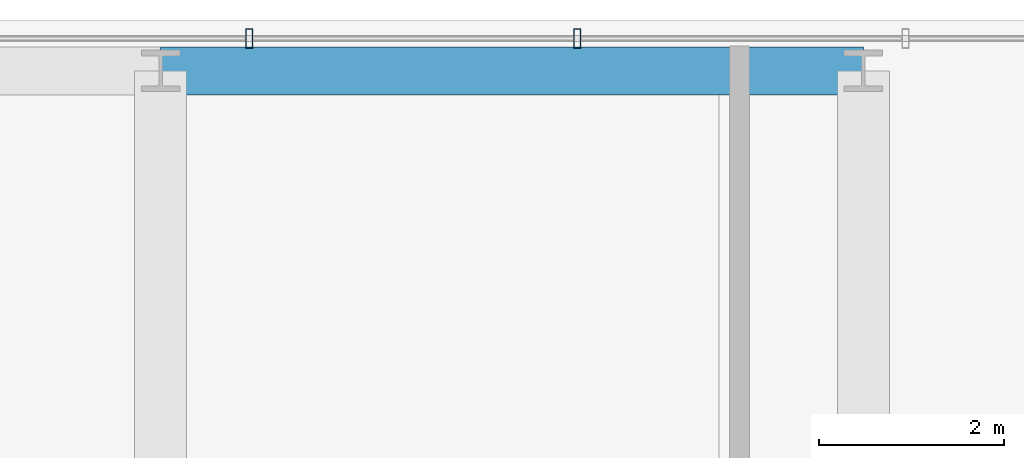
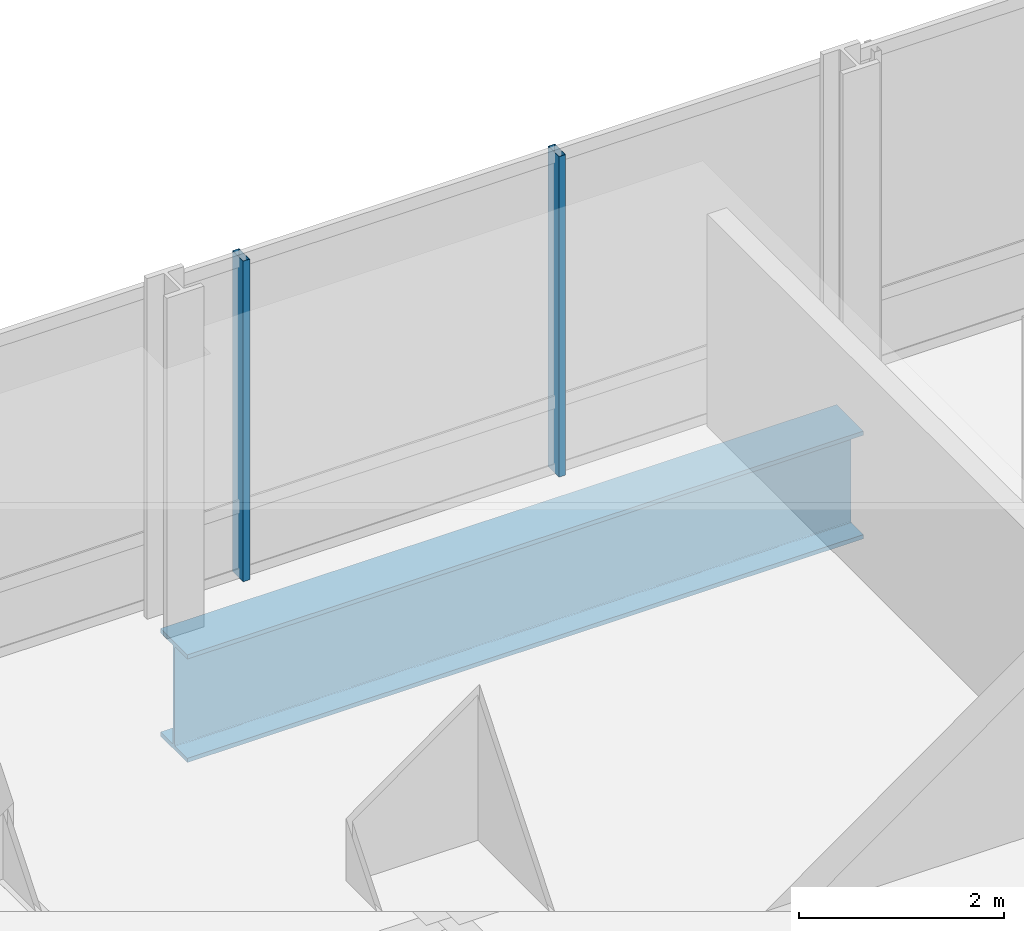
# One storey, part 22 of 34: 2 members, 1 beam, 1 element without a shape of its own.
"""IFC4 building model written with IfcOpenShell, lengths in metres."""

from ifc_helpers import new_model, si_unit, direction, frame, origin, origin_2d, place, context, subcontext, project, spatial, hollow_rectangle, i_section, extrude, material, material_profile, profile_set, type_object, element, aggregate, save


model = new_model("IFC4")

# Units and contexts
model_context = context("Model", 3, precision=1e-05, world=origin(), true_north=direction((0.0, 1.0)))
body_context = subcontext(model_context, "Body", "Model", "MODEL_VIEW")
ifc_project = project(units=[si_unit("LENGTHUNIT", "METRE"), si_unit("AREAUNIT", "SQUARE_METRE"), si_unit("VOLUMEUNIT", "CUBIC_METRE"), si_unit("PLANEANGLEUNIT", "RADIAN"), si_unit("MASSUNIT", "GRAM", prefix="KILO")], contexts=[model_context])

# Site, building, storey
site_placement = place(None, origin())
site = spatial("IfcSite", under=ifc_project, at=site_placement, CompositionType="ELEMENT")
building_placement = place(site_placement, origin())
building = spatial("IfcBuilding", under=site, at=building_placement, Name="Punatoya Terracotta Tower", CompositionType="ELEMENT")
storey_placement = place(building_placement, frame((0.0, 0.0, 117.300048828125)))
storey = spatial("IfcBuildingStorey", under=building, at=storey_placement, Name="L27", CompositionType="ELEMENT", Elevation=117.300048828125)

# Beam
ifc_material_1 = material(Name="Steel S460", Category="steel")
ifc_material_profile_1 = material_profile(ifc_material_1, i_section(OverallWidth=0.52001953125, OverallDepth=1.280029296875, WebThickness=0.031982421875, FlangeThickness=0.050048828125, FilletRadius=0.01806640625, at=origin_2d()))
ifc_profile_set_1 = profile_set([ifc_material_profile_1], Name="Steel S460")
beam_type = type_object("IfcBeamType", Name="BM-TG-NCK", PredefinedType="BEAM", material=ifc_profile_set_1)
beam_placement = place(storey_placement, frame((-3.800048828125, 22.89990234375, -0.880126953125), z_axis=(1.0, 0.0, 0.0), x_axis=(0.0, 1.0, 0.0)))
element("IfcBeam", 1, at=beam_placement, inside=storey, type_object=beam_type, Name="BM-L27-PER-N2", PredefinedType="BEAM", context=body_context, shape_type="SweptSolid", body=[
    extrude(i_section(OverallWidth=0.52001953125, OverallDepth=1.280029296875, WebThickness=0.031982421875, FlangeThickness=0.050048828125, FilletRadius=0.01806640625, at=origin_2d()), origin(), (0.0, 0.0, 1.0), 7.60009765625),
])

# Curtain wall, members
ifc_material_2 = material(Name="Aluminium 6063-T6 + Double Low-E Glass", Category="aluminium")
curtain_wall_type = type_object("IfcCurtainWallType", Name="CW-M1", PredefinedType="NOTDEFINED", material=ifc_material_2)
curtain_wall_placement = place(storey_placement, origin())
curtain_wall = element("IfcCurtainWall", 2, at=curtain_wall_placement, inside=storey, type_object=curtain_wall_type, Name="L27 Curtain Wall CW-L27-N08-1", PredefinedType="NOTDEFINED")
ifc_material_3 = material(Name="Aluminium 6063-T6", Category="aluminium")
ifc_material_profile_2 = material_profile(ifc_material_3, hollow_rectangle(XDim=0.074951171875, YDim=0.2099609375, WallThickness=0.00439453125, at=origin_2d()))
ifc_profile_set_2 = profile_set([ifc_material_profile_2], Name="Aluminium 6063-T6")
member_type = type_object("IfcMemberType", Name="CW-MUL-M1", PredefinedType="MULLION", material=ifc_profile_set_2)
member_1_placement = place(storey_placement, frame((0.70654296875, 23.25, 0.0), z_axis=(0.0, 0.0, 1.0), x_axis=(1.0, 0.0, 0.0)))
member_1 = element("IfcMember", 3, at=member_1_placement, type_object=member_type, Name="CW-L27-N08-1 Mullion 05", PredefinedType="MULLION", context=body_context, shape_type="SweptSolid", body=[
    extrude(hollow_rectangle(XDim=0.074951171875, YDim=0.2099609375, WallThickness=0.00439453125, at=origin_2d()), origin(), (0.0, 0.0, 1.0), 3.81005859375),
])
member_2_placement = place(storey_placement, frame((-2.842041015625, 23.25, 0.0), z_axis=(0.0, 0.0, 1.0), x_axis=(1.0, 0.0, 0.0)))
member_2 = element("IfcMember", 4, at=member_2_placement, type_object=member_type, Name="CW-L27-N08-1 Mullion 06", PredefinedType="MULLION", context=body_context, shape_type="SweptSolid", body=[
    extrude(hollow_rectangle(XDim=0.074951171875, YDim=0.2099609375, WallThickness=0.00439453125, at=origin_2d()), origin(), (0.0, 0.0, 1.0), 3.81005859375),
])
aggregate(curtain_wall, [member_1, member_2])

save(model, "model.ifc")
